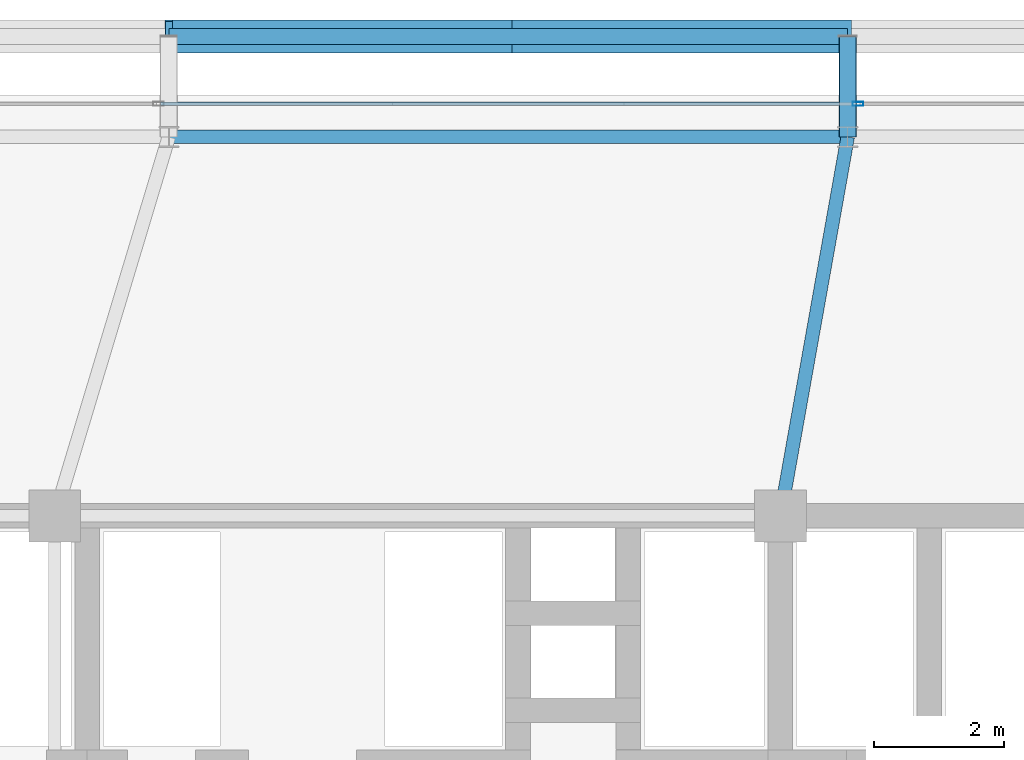
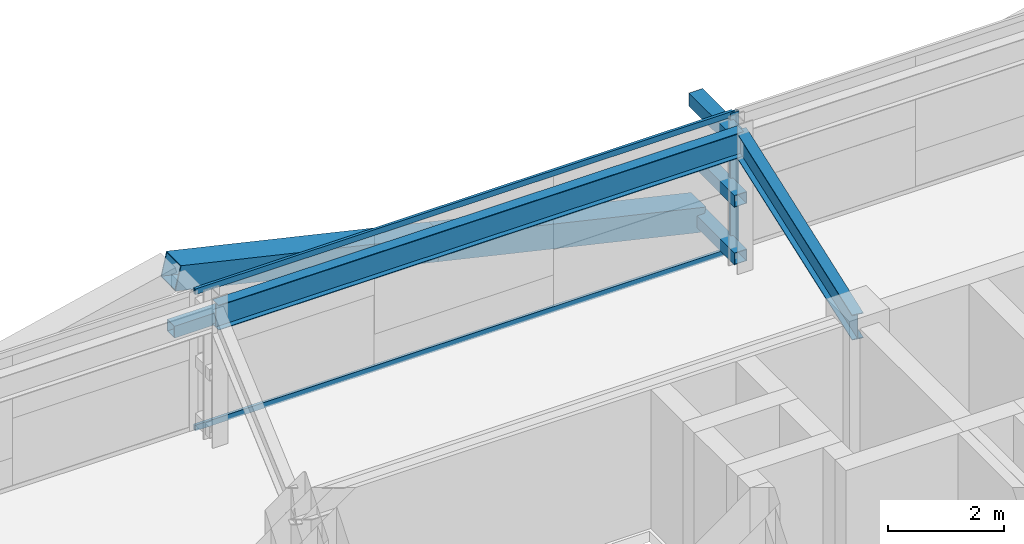
# One storey, part 25 of 44: 9 members, 2 beams, 1 element without a shape of its own.
"""IFC4 building model written with IfcOpenShell, lengths in metres."""

from ifc_helpers import new_model, si_unit, direction, frame, origin, origin_2d, place, context, subcontext, project, spatial, hollow_rectangle, i_section, extrude, source, transform, mapped, material, layer, layer_set, material_profile, profile_set, type_object, element, aggregate, save


model = new_model("IFC4")

# Units and contexts
model_context = context("Model", 3, precision=1e-05, world=origin(), true_north=direction((0.0, 1.0)))
body_context = subcontext(model_context, "Body", "Model", "MODEL_VIEW")
ifc_project = project(units=[si_unit("LENGTHUNIT", "METRE"), si_unit("AREAUNIT", "SQUARE_METRE"), si_unit("VOLUMEUNIT", "CUBIC_METRE"), si_unit("PLANEANGLEUNIT", "RADIAN"), si_unit("MASSUNIT", "GRAM", prefix="KILO")], contexts=[model_context])

# Site, building, storey
site_placement = place(None, origin())
site = spatial("IfcSite", under=ifc_project, at=site_placement, CompositionType="ELEMENT")
building_placement = place(site_placement, origin())
building = spatial("IfcBuilding", under=site, at=building_placement, Name="Taldren Reach Tower", CompositionType="ELEMENT")
storey_placement = place(building_placement, frame((0.0, 0.0, 38.85009765625)))
storey = spatial("IfcBuildingStorey", under=building, at=storey_placement, Name="L11", CompositionType="ELEMENT", Elevation=38.85009765625)

# Beams
ifc_material_1 = material(Name="Steel Gr 350 (350PLUS)", Category="steel")
ifc_material_profile_1 = material_profile(ifc_material_1, i_section(OverallWidth=0.208984375, OverallDepth=0.528076171875, WebThickness=0.009521484375, FlangeThickness=0.01318359375, at=origin_2d()), Name="530UB82.0")
ifc_profile_set_1 = profile_set([ifc_material_profile_1], Name="Steel Gr 350 (350PLUS)")
beam_type_1 = type_object("IfcBeamType", Name="SP-UB530B", PredefinedType="SPANDREL", material=ifc_profile_set_1)
shared_shape_1 = source(origin(), body_context, "Body", "SweptSolid", [
    extrude(i_section(OverallWidth=0.208984375, OverallDepth=0.528076171875, WebThickness=0.009521484375, FlangeThickness=0.01318359375, at=origin_2d()), origin(), (0.0, 0.0, 1.0), 10.47998046875),
])
beam_1_placement = place(storey_placement, frame((40.239990234375, 37.85009765625, 2.666015625), z_axis=(-1.0, 0.0, 0.0), x_axis=(0.0, -1.0, 0.0)))
element("IfcBeam", 1, at=beam_1_placement, inside=storey, type_object=beam_type_1, Name="Perimeter spandrel B1 N4-N3 L11", PredefinedType="SPANDREL", context=body_context, shape_type="MappedRepresentation", body=[
    mapped(shared_shape_1, transform((0.0, 0.0, 0.0), scale=1.0)),
])
ifc_material_profile_2 = material_profile(ifc_material_1, i_section(OverallWidth=0.208984375, OverallDepth=0.532958984375, WebThickness=0.01025390625, FlangeThickness=0.015625, at=origin_2d()), Name="530UB92.4")
ifc_profile_set_2 = profile_set([ifc_material_profile_2], Name="Steel Gr 350 (350PLUS)")
beam_type_2 = type_object("IfcBeamType", Name="BM-UB530A", PredefinedType="BEAM", material=ifc_profile_set_2)
shared_shape_2 = source(origin(), body_context, "Body", "SweptSolid", [
    extrude(i_section(OverallWidth=0.208984375, OverallDepth=0.532958984375, WebThickness=0.01025390625, FlangeThickness=0.015625, at=origin_2d()), origin(), (0.0, 0.0, 1.0), 5.94189453125),
])
beam_2_placement = place(storey_placement, frame((39.199951171875, 32.0, 2.663330078125), z_axis=(0.17503687513, 0.984561878373, 0.0), x_axis=(-0.984561878373, 0.17503687513, 0.0)))
element("IfcBeam", 2, at=beam_2_placement, inside=storey, type_object=beam_type_2, Name="Primary floor girder B1-N4 L11", PredefinedType="BEAM", context=body_context, shape_type="MappedRepresentation", body=[
    mapped(shared_shape_2, transform((0.0, 0.0, 0.0), scale=1.0)),
])

# Members
ifc_material_2 = material(Name="Steel Gr 450 (C450L0)", Category="steel")
ifc_material_profile_3 = material_profile(ifc_material_2, hollow_rectangle(XDim=0.27490234375, YDim=0.27490234375, WallThickness=0.00927734375, at=origin_2d()), Name="275x275x9.3SHS")
ifc_profile_set_3 = profile_set([ifc_material_profile_3], Name="Steel Gr 450 (C450L0)")
member_type_1 = type_object("IfcMemberType", Name="MB-TIE273", PredefinedType="STRUT", material=ifc_profile_set_3)
shared_shape_3 = source(origin(), body_context, "Body", "SweptSolid", [
    extrude(hollow_rectangle(XDim=0.27490234375, YDim=0.27490234375, WallThickness=0.00927734375, at=origin_2d()), origin(), (0.0, 0.0, 1.0), 1.5498046875),
])
member_1_placement = place(storey_placement, frame((40.239990234375, 37.85009765625, 2.64990234375), z_axis=(0.0, 1.0, 0.0), x_axis=(-1.0, 0.0, 0.0)))
element("IfcMember", 3, at=member_1_placement, inside=storey, type_object=member_type_1, Name="Exoskeleton diaphragm tie strut B1-N4 L11", PredefinedType="STRUT", context=body_context, shape_type="MappedRepresentation", body=[
    mapped(shared_shape_3, transform((0.0, 0.0, 0.0), scale=1.0)),
])
ifc_material_profile_4 = material_profile(ifc_material_2, hollow_rectangle(XDim=0.510009765625, YDim=0.510009765625, WallThickness=0.02001953125, at=origin_2d()), Name="510x510x20.0SHS")
ifc_profile_set_4 = profile_set([ifc_material_profile_4], Name="Steel Gr 450 (C450L0)")
member_type_2 = type_object("IfcMemberType", Name="MB-EXO508", PredefinedType="BRACE", material=ifc_profile_set_4)
shared_shape_4 = source(origin(), body_context, "Body", "SweptSolid", [
    extrude(hollow_rectangle(XDim=0.510009765625, YDim=0.510009765625, WallThickness=0.02001953125, at=origin_2d()), origin(), (0.0, 0.0, 1.0), 5.37890625),
])
for number, where, z_axis, x_axis, name in (
    (4, (40.239990234375, 39.39990234375, 0.219970703125), (-0.974161966843, 0.0, 0.225850531007), (0.0, -1.0, 0.0), "Exoskeleton Diagrid Brace B1-N3 L11"),
    (5, (35.0, 39.39990234375, 1.434814453125), (-0.97415197996, 0.0, 0.225893603143), (0.0, -1.0, 0.0), "Exoskeleton Diagrid Brace B1-N3 L11"),
):
    element("IfcMember", number, at=place(storey_placement, frame(where, z_axis=z_axis, x_axis=x_axis)), inside=storey, type_object=member_type_2, Name=name, PredefinedType="BRACE", context=body_context, shape_type="MappedRepresentation", body=[
        mapped(shared_shape_4, transform((0.0, 0.0, 0.0), scale=1.0)),
    ])
ifc_material_3 = material(Name="Steel Gr 350 (C350L0)", Category="steel")
ifc_material_profile_5 = material_profile(ifc_material_3, hollow_rectangle(XDim=0.25, YDim=0.25, WallThickness=0.010009765625, at=origin_2d()), Name="250x250x10.0SHS")
ifc_profile_set_5 = profile_set([ifc_material_profile_5], Name="Steel Gr 350 (C350L0)")
member_type_3 = type_object("IfcMemberType", Name="MB-POST250", PredefinedType="POST", material=ifc_profile_set_5)
shared_shape_5 = source(origin(), body_context, "Body", "SweptSolid", [
    extrude(hollow_rectangle(XDim=0.25, YDim=0.25, WallThickness=0.010009765625, at=origin_2d()), origin(), (0.0, 0.0, 1.0), 10.47998046875),
])
member_2_placement = place(storey_placement, frame((29.760009765625, 39.39990234375, 1.434814453125), z_axis=(1.0, 0.0, 0.0), x_axis=(0.0, 1.0, 0.0)))
element("IfcMember", 6, at=member_2_placement, inside=storey, type_object=member_type_3, Name="Exoskeleton mid-height ring chord B1-N3 L11", PredefinedType="POST", context=body_context, shape_type="MappedRepresentation", body=[
    mapped(shared_shape_5, transform((0.0, 0.0, 0.0), scale=1.0)),
])
shared_shape_6 = source(origin(), body_context, "Body", "SweptSolid", [
    extrude(hollow_rectangle(XDim=0.25, YDim=0.25, WallThickness=0.010009765625, at=origin_2d()), origin(), (0.0, 0.0, 1.0), 1.5498046875),
])
for number, where, z_axis, x_axis, name in (
    (7, (40.239990234375, 37.85009765625, 0.219970703125), (0.0, 1.0, 0.0), (-1.0, 0.0, 0.0), "Exoskeleton base diaphragm tie strut B1-N4 L11"),
    (8, (40.239990234375, 37.85009765625, 1.434814453125), (0.0, 1.0, 0.0), (-1.0, 0.0, 0.0), "Exoskeleton mid-tier diaphragm tie B1-N4 L11"),
):
    element("IfcMember", number, at=place(storey_placement, frame(where, z_axis=z_axis, x_axis=x_axis)), inside=storey, type_object=member_type_3, Name=name, PredefinedType="POST", context=body_context, shape_type="MappedRepresentation", body=[
        mapped(shared_shape_6, transform((0.0, 0.0, 0.0), scale=1.0)),
    ])

# Curtain wall, members
ifc_material_4 = material(Name="Aluminium and Low-E Glass Unitised System", Category="aluminium")
ifc_layer = layer(ifc_material_4, 0.159912109375)
ifc_layer_set = layer_set([ifc_layer], Name="Aluminium and Low-E Glass Unitised System")
curtain_wall_type = type_object("IfcCurtainWallType", Name="CW-SYS-2", PredefinedType="NOTDEFINED", material=ifc_layer_set)
curtain_wall_placement = place(storey_placement, origin())
curtain_wall = element("IfcCurtainWall", 9, at=curtain_wall_placement, inside=storey, type_object=curtain_wall_type, Name="Unitised curtain wall CW-L11-N", PredefinedType="NOTDEFINED")
ifc_material_5 = material(Name="Anodised Aluminium 6063-T6", Category="aluminium")
ifc_material_profile_6 = material_profile(ifc_material_5, hollow_rectangle(XDim=0.06494140625, YDim=0.1650390625, WallThickness=0.00390625, at=origin_2d()), Name="ALU-165x65x4RHS")
ifc_profile_set_6 = profile_set([ifc_material_profile_6], Name="Anodised Aluminium 6063-T6")
member_type_4 = type_object("IfcMemberType", Name="CW-MUL-165", PredefinedType="MULLION", material=ifc_profile_set_6)
shared_shape_7 = source(origin(), body_context, "Body", "SweptSolid", [
    extrude(hollow_rectangle(XDim=0.06494140625, YDim=0.1650390625, WallThickness=0.00390625, at=origin_2d()), origin(), (0.0, 0.0, 1.0), 2.929931640625),
])
member_3_placement = place(storey_placement, frame((40.39990234375, 38.360107421875, 0.0), z_axis=(0.0, 0.0, 1.0), x_axis=(0.0, -1.0, 0.0)))
member_3 = element("IfcMember", 10, at=member_3_placement, type_object=member_type_4, Name="CW-2 mullion 3", PredefinedType="MULLION", context=body_context, shape_type="MappedRepresentation", body=[
    mapped(shared_shape_7, transform((0.0, 0.0, 0.0), scale=1.0)),
])
ifc_material_profile_7 = material_profile(ifc_material_5, hollow_rectangle(XDim=0.054931640625, YDim=0.1201171875, WallThickness=0.0029296875, at=origin_2d()), Name="ALU-120x55x3RHS")
ifc_profile_set_7 = profile_set([ifc_material_profile_7], Name="Anodised Aluminium 6063-T6")
member_type_5 = type_object("IfcMemberType", Name="CW-TRN-135", PredefinedType="USERDEFINED", material=ifc_profile_set_7)
shared_shape_8 = source(origin(), body_context, "Body", "SweptSolid", [
    extrude(hollow_rectangle(XDim=0.054931640625, YDim=0.1201171875, WallThickness=0.0029296875, at=origin_2d()), origin(), (0.0, 0.0, 1.0), 10.73486328125),
])
member_4_placement = place(storey_placement, frame((40.367431640625, 38.360107421875, 0.02734375), z_axis=(-1.0, 0.0, 0.0), x_axis=(0.0, -1.0, 0.0)))
member_4 = element("IfcMember", 11, at=member_4_placement, type_object=member_type_5, Name="CW-2 transom 3.1", ObjectType="TRANSOM", PredefinedType="USERDEFINED", context=body_context, shape_type="MappedRepresentation", body=[
    mapped(shared_shape_8, transform((0.0, 0.0, 0.0), scale=1.0)),
])
member_5_placement = place(storey_placement, frame((40.367431640625, 38.360107421875, 2.90234375), z_axis=(-1.0, 0.0, 0.0), x_axis=(0.0, -1.0, 0.0)))
member_5 = element("IfcMember", 12, at=member_5_placement, type_object=member_type_5, Name="CW-2 transom 3.2", ObjectType="TRANSOM", PredefinedType="USERDEFINED", context=body_context, shape_type="MappedRepresentation", body=[
    mapped(shared_shape_8, transform((0.0, 0.0, 0.0), scale=1.0)),
])
aggregate(curtain_wall, [member_3, member_4, member_5])

save(model, "model.ifc")
